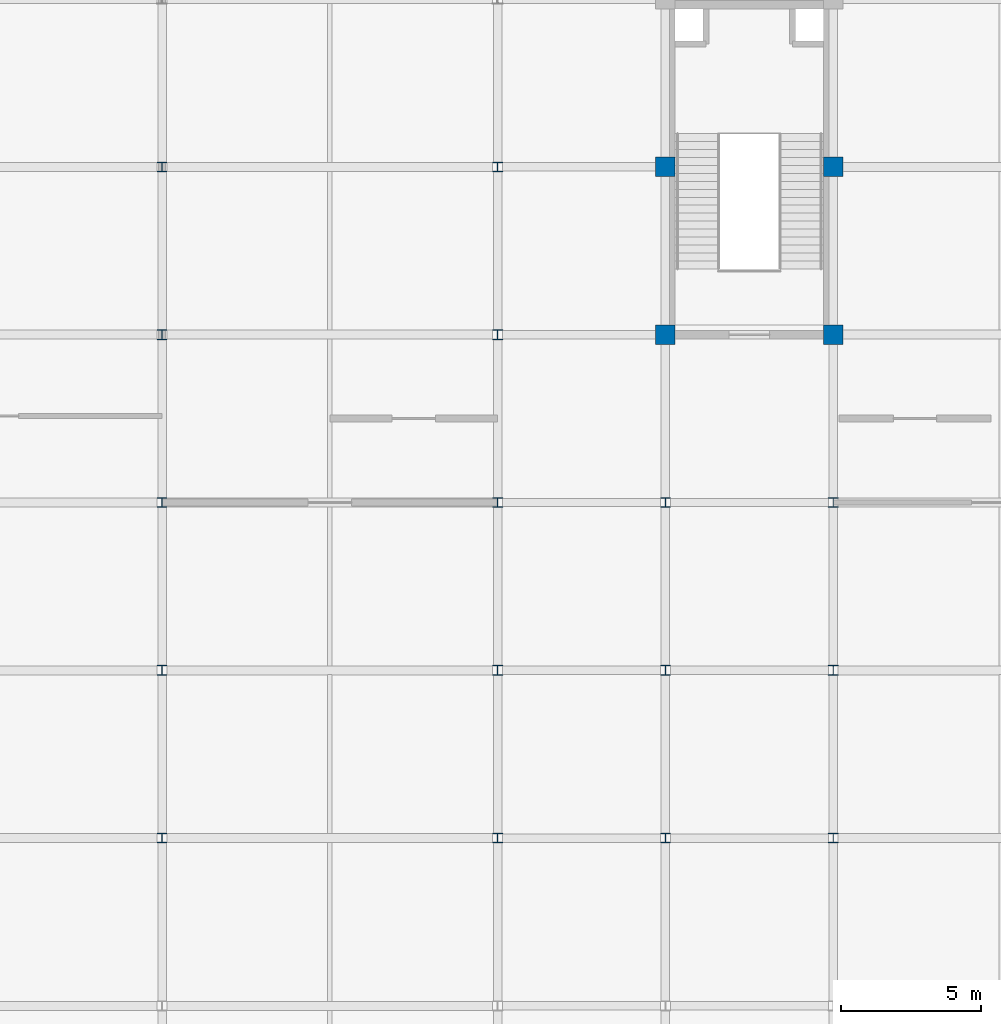
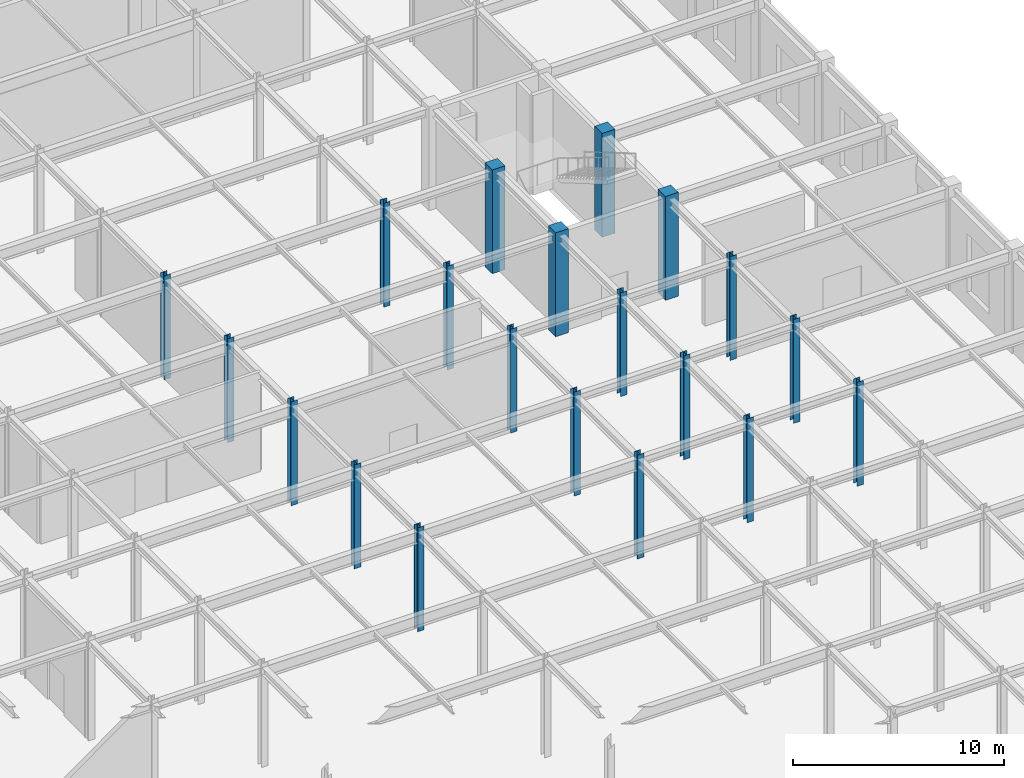
# One storey, part 25 of 51: 20 columns.
"""IFC4 building model written with IfcOpenShell, lengths in metres."""

import ifcopenshell
import ifcopenshell.guid

model = None  # the IFC model being written
_history = None  # IfcOwnerHistory: only IFC2X3 demands one
_inside = {}  # id of a spatial element -> (the spatial element, [elements in it])
_under = {}  # id of a project, library or spatial element -> (it, [spatial elements below it])
_declared = {}  # id of a project -> (the project, [libraries it declares])
_typed = {}  # id of a type object -> (the type object, [elements of that type])
_made_of = {}  # id of a material, layer set ... -> (it, [elements and type objects made of it])


def new_model(schema):
    """Start an empty IFC model of exactly this schema.

    Asked for "IFC4X3", IfcOpenShell would pick the latest addendum, in which some entities
    have other attributes; the version numbers below select the first issue.
    IFC2X3 requires an IfcOwnerHistory on every rooted entity: one is made here for all.
    """
    global model, _history
    if schema == "IFC4X3":
        model = ifcopenshell.file(schema_version=(4, 3, 0, 0))
    else:
        model = ifcopenshell.file(schema=schema)
    _inside.clear()
    _under.clear()
    _declared.clear()
    _typed.clear()
    _made_of.clear()
    _history = None
    if model.schema == "IFC2X3":
        org = make("IfcOrganization", Name="unknown")
        user = make(
            "IfcPersonAndOrganization",
            ThePerson=make("IfcPerson", FamilyName="unknown"),
            TheOrganization=org,
        )
        app = make(
            "IfcApplication",
            ApplicationDeveloper=org,
            Version="unknown",
            ApplicationFullName="unknown",
            ApplicationIdentifier="unknown",
        )
        _history = make(
            "IfcOwnerHistory",
            OwningUser=user,
            OwningApplication=app,
            ChangeAction="ADDED",
            CreationDate=0,
        )
    return model


def make(cls, **values):
    """One entity of the class cls with the attributes given. An attribute that is None is left unset."""
    return model.create_entity(
        cls, **{name: value for name, value in values.items() if value is not None}
    )


def rooted(cls, **values):
    """An entity with a GlobalId (a new one), such as an element, a storey or a relation."""
    return make(cls, GlobalId=ifcopenshell.guid.new(), OwnerHistory=_history, **values)


def si_unit(unit_type, name, prefix=None):
    """IfcSIUnit, for example si_unit("LENGTHUNIT", "METRE", prefix="MILLI")."""
    return make("IfcSIUnit", UnitType=unit_type, Prefix=prefix, Name=name)


def assignment(units):
    """IfcUnitAssignment: the units of a project."""
    return None if units is None else make("IfcUnitAssignment", Units=units)


def point(xyz):
    """IfcCartesianPoint."""
    return None if xyz is None else make("IfcCartesianPoint", Coordinates=xyz)


def direction(xyz):
    """IfcDirection."""
    return None if xyz is None else make("IfcDirection", DirectionRatios=xyz)


def frame(location, z_axis=None, x_axis=None):
    """IfcAxis2Placement3D, a coordinate frame: its origin and axes. An axis left out is left unset."""
    return make(
        "IfcAxis2Placement3D",
        Location=point(location),
        Axis=direction(z_axis),
        RefDirection=direction(x_axis),
    )


def frame_2d(location, x_axis=None):
    """IfcAxis2Placement2D, a coordinate frame in the plane: its origin and x axis."""
    return make(
        "IfcAxis2Placement2D", Location=point(location), RefDirection=direction(x_axis)
    )


def origin():
    """The frame at (0, 0, 0) with its axes left unset."""
    return frame((0.0, 0.0, 0.0))


def origin_2d():
    """The frame at (0, 0) in the plane with its x axis left unset."""
    return frame_2d((0.0, 0.0))


def place(relative_to, where):
    """IfcLocalPlacement: puts the frame where relative to a parent placement (None: the world)."""
    return make(
        "IfcLocalPlacement", PlacementRelTo=relative_to, RelativePlacement=where
    )


def context(
    kind, dimensions, precision=None, world=None, true_north=None, identifier=None
):
    """IfcGeometricRepresentationContext, for example the 3D "Model" context."""
    return make(
        "IfcGeometricRepresentationContext",
        ContextIdentifier=identifier,
        ContextType=kind,
        CoordinateSpaceDimension=dimensions,
        Precision=precision,
        WorldCoordinateSystem=world,
        TrueNorth=true_north,
    )


def subcontext(parent, identifier, kind, view, scale=None):
    """IfcGeometricRepresentationSubContext, for example "Body" below "Model"."""
    return make(
        "IfcGeometricRepresentationSubContext",
        ContextIdentifier=identifier,
        ContextType=kind,
        ParentContext=parent,
        TargetScale=scale,
        TargetView=view,
    )


def project(units=None, contexts=None):
    """IfcProject with its units and contexts."""
    return rooted(
        "IfcProject",
        Name="project",
        RepresentationContexts=contexts,
        UnitsInContext=assignment(units),
    )


def spatial(cls, under=None, at=None, **own):
    """A site, building, storey or space (cls), placed at a placement, below another one or the project."""
    s = rooted(cls, ObjectPlacement=at, **own)
    if under is not None:
        _under.setdefault(under.id(), (under, []))[1].append(s)
    return s


def profile(cls, at=None, kind="AREA", **sizes):
    """A parametric profile (cls). Its sizes go by their IFC names, for example OverallWidth=200.0."""
    return make(cls, ProfileType=kind, Position=at, **sizes)


def rectangle(**sizes):
    """IfcRectangleProfileDef."""
    return profile("IfcRectangleProfileDef", **sizes)


def i_section(**sizes):
    """IfcIShapeProfileDef."""
    return profile("IfcIShapeProfileDef", **sizes)


def extrude(swept, where, along, depth):
    """IfcExtrudedAreaSolid: the profile swept, set in the frame where, extruded along a direction by depth."""
    return make(
        "IfcExtrudedAreaSolid",
        SweptArea=swept,
        Position=where,
        ExtrudedDirection=direction(along),
        Depth=depth,
    )


def shape(context_of_items, identifier, shape_type, items):
    """IfcShapeRepresentation: the items that make up one representation, for example the "Body"."""
    return make(
        "IfcShapeRepresentation",
        ContextOfItems=context_of_items,
        RepresentationIdentifier=identifier,
        RepresentationType=shape_type,
        Items=items,
    )


def material(Name=None, Category=None):
    """IfcMaterial."""
    return make("IfcMaterial", Name=Name, Category=Category)


def material_profile(
    of_material, cross_section, Name=None, Category=None, Priority=None
):
    """IfcMaterialProfile: a cross section and its material."""
    return make(
        "IfcMaterialProfile",
        Name=Name,
        Material=of_material,
        Profile=cross_section,
        Priority=Priority,
        Category=Category,
    )


def profile_set(profiles, Name=None, composite=None):
    """IfcMaterialProfileSet."""
    return make(
        "IfcMaterialProfileSet",
        Name=Name,
        MaterialProfiles=profiles,
        CompositeProfile=composite,
    )


def made_of(thing, what):
    """Note that an element or type object is made of a material, layer set ...; save() writes the relation."""
    if what is not None:
        _made_of.setdefault(what.id(), (what, []))[1].append(thing)
    return thing


def type_object(cls, material=None, **own):
    """A type object (cls), such as IfcWallType, which elements share."""
    return made_of(rooted(cls, **own), material)


def element(
    cls,
    number,
    at=None,
    inside=None,
    cuts=None,
    type_object=None,
    material=None,
    context=None,
    identifier="Body",
    shape_type=None,
    held_by="IfcProductDefinitionShape",
    body=None,
    shapes=None,
    **own,
):
    """One element of the class cls, such as IfcWall. Its Tag is "e" and its number.

    at: its placement. inside: the storey or other place that contains it. cuts: it is an
    opening in that element (IfcRelVoidsElement). A single representation is given by context,
    identifier, shape_type and body (its items); several are given by shapes. held_by: the class
    of the entity that holds the representations. save() writes the other relations.
    """
    e = rooted(cls, Tag="e%d" % number, ObjectPlacement=at, **own)
    if body is not None:
        shapes = [shape(context, identifier, shape_type, body)]
    if shapes is not None:
        e.Representation = make(held_by, Representations=shapes)
    if inside is not None:
        _inside.setdefault(inside.id(), (inside, []))[1].append(e)
    if cuts is not None:
        rooted(
            "IfcRelVoidsElement", RelatingBuildingElement=cuts, RelatedOpeningElement=e
        )
    if type_object is not None:
        _typed.setdefault(type_object.id(), (type_object, []))[1].append(e)
    return made_of(e, material)


def aggregate(whole, parts):
    """IfcRelAggregates: a whole, such as a stair, and the parts it consists of."""
    return rooted("IfcRelAggregates", RelatingObject=whole, RelatedObjects=parts)


def save(model, path):
    """Write the relations noted so far, then the file.

    IfcRelAggregates (storeys below a building ...), IfcRelContainedInSpatialStructure (elements
    in a storey), IfcRelDefinesByType, IfcRelAssociatesMaterial and IfcRelDeclares: one each for
    every whole, place, type object, material and project.
    """
    for whole, parts in _under.values():
        aggregate(whole, parts)
    for where, things in _inside.values():
        rooted(
            "IfcRelContainedInSpatialStructure",
            RelatedElements=things,
            RelatingStructure=where,
        )
    for kind, things in _typed.values():
        rooted("IfcRelDefinesByType", RelatedObjects=things, RelatingType=kind)
    for what, things in _made_of.values():
        rooted("IfcRelAssociatesMaterial", RelatedObjects=things, RelatingMaterial=what)
    for by, libraries in _declared.values():
        rooted("IfcRelDeclares", RelatingContext=by, RelatedDefinitions=libraries)
    model.write(path)


model = new_model("IFC4")

# Units and contexts
model_context = context("Model", 3, precision=1e-05, world=origin(), true_north=direction((0.0, 1.0)))
body_context = subcontext(model_context, "Body", "Model", "MODEL_VIEW")
ifc_project = project(units=[si_unit("LENGTHUNIT", "METRE"), si_unit("AREAUNIT", "SQUARE_METRE"), si_unit("VOLUMEUNIT", "CUBIC_METRE"), si_unit("PLANEANGLEUNIT", "RADIAN"), si_unit("MASSUNIT", "GRAM", prefix="KILO")], contexts=[model_context])

# Site, building, storey
site_placement = place(None, origin())
site = spatial("IfcSite", under=ifc_project, at=site_placement, CompositionType="ELEMENT")
building_placement = place(site_placement, origin())
building = spatial("IfcBuilding", under=site, at=building_placement, Name="Zlatovratsky Civic Hall", CompositionType="ELEMENT")
storey_placement = place(building_placement, origin())
storey = spatial("IfcBuildingStorey", under=building, at=storey_placement, Name="L01", CompositionType="ELEMENT", Elevation=0.0)

# Columns
ifc_material_1 = material(Name="Concrete C35/45 (B40)", Category="concrete")
ifc_material_profile_1 = material_profile(ifc_material_1, rectangle(XDim=0.699951171875, YDim=0.699951171875, at=origin_2d()), Name="RC 700x700")
ifc_profile_set_1 = profile_set([ifc_material_profile_1], Name="Concrete C35/45 (B40)")
column_type_1 = type_object("IfcColumnType", Name="Col_CorePier_RC700", PredefinedType="COLUMN", material=ifc_profile_set_1)
for number, where, z_axis, x_axis, name in (
    (1, (150.0, 84.0, 0.0), (0.0, 0.0, 1.0), (1.0, 0.0, 0.0), "CL-0704"),
    (2, (156.0, 84.0, 0.0), (0.0, 0.0, 1.0), (1.0, 0.0, 0.0), "CL-0705"),
    (3, (150.0, 90.0, 0.0), (0.0, 0.0, 1.0), (1.0, 0.0, 0.0), "CL-0727"),
    (4, (156.0, 90.0, 0.0), (0.0, 0.0, 1.0), (1.0, 0.0, 0.0), "CL-0728"),
):
    element("IfcColumn", number, at=place(storey_placement, frame(where, z_axis=z_axis, x_axis=x_axis)), inside=storey, type_object=column_type_1, Name=name, PredefinedType="COLUMN", context=body_context, shape_type="SweptSolid", body=[
        extrude(rectangle(XDim=0.699951171875, YDim=0.699951171875, at=origin_2d()), origin(), (0.0, 0.0, 1.0), 6.0),
    ])
ifc_material_2 = material(Name="Steel S355", Category="steel")
ifc_material_profile_2 = material_profile(ifc_material_2, i_section(OverallWidth=0.35009765625, OverallDepth=0.343017578125, WebThickness=0.010009765625, FlangeThickness=0.014892578125, FilletRadius=0.02001953125, at=origin_2d()), Name="35K1")
ifc_profile_set_2 = profile_set([ifc_material_profile_2], Name="Steel S355")
column_type_2 = type_object("IfcColumnType", Name="Col_Steel_35K1", PredefinedType="COLUMN", material=ifc_profile_set_2)
for number, where, z_axis, x_axis, name in (
    (5, (132.0, 66.0, 0.0), (0.0, 0.0, 1.0), (1.0, 0.0, 0.0), "CL-0633"),
    (6, (144.0, 66.0, 0.0), (0.0, 0.0, 1.0), (1.0, 0.0, 0.0), "CL-0634"),
    (7, (150.0, 66.0, 0.0), (0.0, 0.0, 1.0), (1.0, 0.0, 0.0), "CL-0635"),
    (8, (156.0, 66.0, 0.0), (0.0, 0.0, 1.0), (1.0, 0.0, 0.0), "CL-0636"),
    (9, (132.0, 72.0, 0.0), (0.0, 0.0, 1.0), (1.0, 0.0, 0.0), "CL-0656"),
    (10, (144.0, 72.0, 0.0), (0.0, 0.0, 1.0), (1.0, 0.0, 0.0), "CL-0657"),
    (11, (150.0, 72.0, 0.0), (0.0, 0.0, 1.0), (1.0, 0.0, 0.0), "CL-0658"),
    (12, (156.0, 72.0, 0.0), (0.0, 0.0, 1.0), (1.0, 0.0, 0.0), "CL-0659"),
    (13, (132.0, 78.0, 0.0), (0.0, 0.0, 1.0), (1.0, 0.0, 0.0), "CL-0679"),
    (14, (144.0, 78.0, 0.0), (0.0, 0.0, 1.0), (1.0, 0.0, 0.0), "CL-0680"),
    (15, (150.0, 78.0, 0.0), (0.0, 0.0, 1.0), (1.0, 0.0, 0.0), "CL-0681"),
    (16, (156.0, 78.0, 0.0), (0.0, 0.0, 1.0), (1.0, 0.0, 0.0), "CL-0682"),
    (17, (132.0, 84.0, 0.0), (0.0, 0.0, 1.0), (1.0, 0.0, 0.0), "CL-0702"),
    (18, (144.0, 84.0, 0.0), (0.0, 0.0, 1.0), (1.0, 0.0, 0.0), "CL-0703"),
    (19, (132.0, 90.0, 0.0), (0.0, 0.0, 1.0), (1.0, 0.0, 0.0), "CL-0725"),
    (20, (144.0, 90.0, 0.0), (0.0, 0.0, 1.0), (1.0, 0.0, 0.0), "CL-0726"),
):
    element("IfcColumn", number, at=place(storey_placement, frame(where, z_axis=z_axis, x_axis=x_axis)), inside=storey, type_object=column_type_2, Name=name, PredefinedType="COLUMN", context=body_context, shape_type="SweptSolid", body=[
        extrude(i_section(OverallWidth=0.35009765625, OverallDepth=0.343017578125, WebThickness=0.010009765625, FlangeThickness=0.014892578125, FilletRadius=0.02001953125, at=origin_2d()), origin(), (0.0, 0.0, 1.0), 6.0),
    ])

save(model, "model.ifc")
